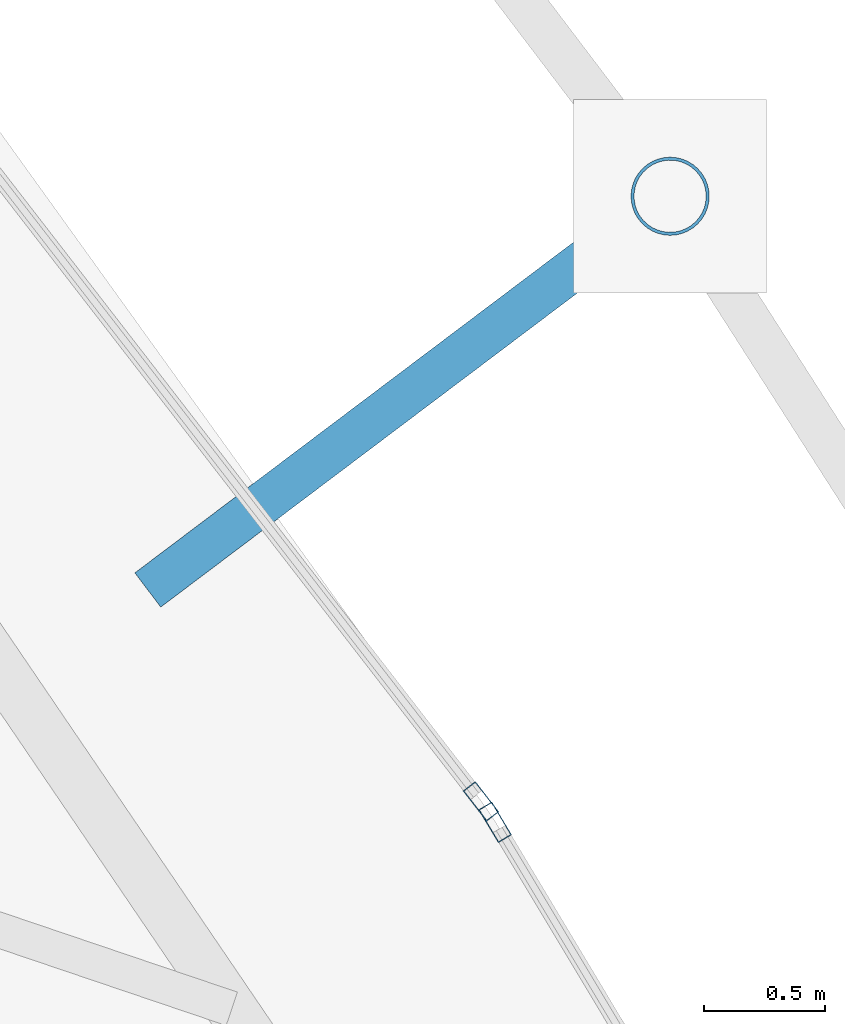
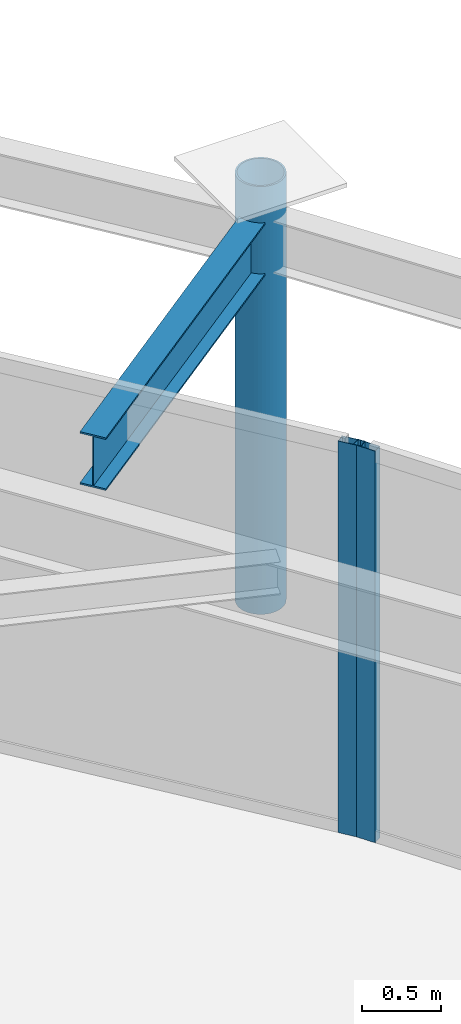
# One storey, part 19 of 30: 3 members, 1 beam, 2 elements without a shape of their own.
"""IFC4 building model written with IfcOpenShell, lengths in metres."""

from ifc_helpers import new_model, si_unit, direction, frame, origin, origin_2d, place, context, subcontext, project, spatial, hollow_rectangle, hollow_circle, i_section, extrude, material, layer, layer_set, material_profile, profile_set, type_object, element, aggregate, save


model = new_model("IFC4")

# Units and contexts
model_context = context("Model", 3, precision=1e-05, world=origin(), true_north=direction((0.0, 1.0)))
body_context = subcontext(model_context, "Body", "Model", "MODEL_VIEW")
ifc_project = project(units=[si_unit("LENGTHUNIT", "METRE"), si_unit("AREAUNIT", "SQUARE_METRE"), si_unit("VOLUMEUNIT", "CUBIC_METRE"), si_unit("PLANEANGLEUNIT", "RADIAN"), si_unit("MASSUNIT", "GRAM", prefix="KILO")], contexts=[model_context])

# Site, building, storey
site_placement = place(None, origin())
site = spatial("IfcSite", under=ifc_project, at=site_placement, CompositionType="ELEMENT")
building_placement = place(site_placement, origin())
building = spatial("IfcBuilding", under=site, at=building_placement, Name="Orvanel Arch Residences", CompositionType="ELEMENT")
storey_placement = place(building_placement, frame((0.0, 0.0, 273.35009765625)))
storey = spatial("IfcBuildingStorey", under=building, at=storey_placement, Name="L78", CompositionType="ELEMENT", Elevation=273.35009765625)

# Curtain wall, member
ifc_material_1 = material(Name="Bronze-anodised aluminium AA6063-T6", Category="aluminium")
ifc_layer = layer(ifc_material_1, 0.175048828125)
ifc_layer_set = layer_set([ifc_layer], Name="Bronze-anodised aluminium AA6063-T6")
curtain_wall_type = type_object("IfcCurtainWallType", Name="CW4-HI-SYS", PredefinedType="NOTDEFINED", material=ifc_layer_set)
curtain_wall_1_placement = place(storey_placement, origin())
curtain_wall_1 = element("IfcCurtainWall", 1, at=curtain_wall_1_placement, inside=storey, type_object=curtain_wall_type, Name="L78 CW4-HI-SYS Unitised Curtain Wall", PredefinedType="NOTDEFINED")
ifc_material_profile_1 = material_profile(ifc_material_1, hollow_rectangle(XDim=0.06494140625, YDim=0.159912109375, WallThickness=0.00390625, at=origin_2d()), Name="ALU160x65x4")
ifc_profile_set_1 = profile_set([ifc_material_profile_1], Name="Bronze-anodised aluminium AA6063-T6")
member_type_1 = type_object("IfcMemberType", Name="MUL-160x65", PredefinedType="MULLION", material=ifc_profile_set_1)
member_1_placement = place(storey_placement, frame((43.982666015625, 32.150146484375, 0.0), z_axis=(0.0, 0.0, 1.0), x_axis=(-0.857549798065, -0.514400956296, 0.0)))
member_1 = element("IfcMember", 2, at=member_1_placement, type_object=member_type_1, Name="CW-S4 mullion 2", PredefinedType="MULLION", context=body_context, shape_type="SweptSolid", body=[
    extrude(hollow_rectangle(XDim=0.06494140625, YDim=0.159912109375, WallThickness=0.00390625, at=origin_2d()), origin(), (0.0, 0.0, 1.0), 3.02001953125),
])
aggregate(curtain_wall_1, [member_1])

curtain_wall_2_placement = place(storey_placement, origin())
curtain_wall_2 = element("IfcCurtainWall", 3, at=curtain_wall_2_placement, inside=storey, type_object=curtain_wall_type, Name="L78 CW4-HI-SYS Unitised Curtain Wall", PredefinedType="NOTDEFINED")
member_2_placement = place(storey_placement, frame((43.924072265625, 32.23681640625, 0.0), z_axis=(0.0, 0.0, 1.0), x_axis=(-0.791013108385, -0.611799201016, 0.0)))
member_2 = element("IfcMember", 4, at=member_2_placement, type_object=member_type_1, Name="CW-S4 mullion 1", PredefinedType="MULLION", context=body_context, shape_type="SweptSolid", body=[
    extrude(hollow_rectangle(XDim=0.06494140625, YDim=0.159912109375, WallThickness=0.00390625, at=origin_2d()), origin(), (0.0, 0.0, 1.0), 3.02001953125),
])
aggregate(curtain_wall_2, [member_2])

# Beam
ifc_material_2 = material(Name="Structural steel AS/NZS 3679.1 Grade 300 (300 MPa)", Category="steel")
ifc_material_profile_2 = material_profile(ifc_material_2, i_section(OverallWidth=0.177978515625, OverallDepth=0.406005859375, WebThickness=0.0078125, FlangeThickness=0.0126953125, at=origin_2d()), Name="410UB59.7")
ifc_profile_set_2 = profile_set([ifc_material_profile_2], Name="Structural steel AS/NZS 3679.1 Grade 300 (300 MPa)")
beam_type = type_object("IfcBeamType", Name="OB-410UB-EXT", PredefinedType="SPANDREL", material=ifc_profile_set_2)
beam_placement = place(storey_placement, frame((42.54296875, 33.113037109375, 2.81689453125), z_axis=(0.798528049519, 0.601957601606, 0.0), x_axis=(-0.601957601606, 0.798528049519, 0.0)))
element("IfcBeam", 5, at=beam_placement, inside=storey, type_object=beam_type, Name="L78 Outer Frame Radial Tie Beam 11", PredefinedType="SPANDREL", context=body_context, shape_type="SweptSolid", body=[
    extrude(i_section(OverallWidth=0.177978515625, OverallDepth=0.406005859375, WebThickness=0.0078125, FlangeThickness=0.0126953125, at=origin_2d()), origin(), (0.0, 0.0, 1.0), 2.711181640625),
])

# Member
ifc_material_3 = material(Name="Structural steel AS/NZS 1163 C350L0 (Grade 350)", Category="steel")
ifc_material_profile_3 = material_profile(ifc_material_3, hollow_circle(Radius=0.162109375, WallThickness=0.0126953125, at=origin_2d()), Name="CHS324x12.7")
ifc_profile_set_3 = profile_set([ifc_material_profile_3], Name="Structural steel AS/NZS 1163 C350L0 (Grade 350)")
member_type_2 = type_object("IfcMemberType", Name="ST-324CHS-EXT", PredefinedType="STRUT", material=ifc_profile_set_3)
member_3_placement = place(storey_placement, frame((44.7080078125, 34.7451171875, 0.0), z_axis=(0.0, 0.0, 1.0), x_axis=(1.0, 0.0, 0.0)))
element("IfcMember", 6, at=member_3_placement, inside=storey, type_object=member_type_2, Name="L78 Outer Perimeter Frame Post 11", PredefinedType="STRUT", context=body_context, shape_type="SweptSolid", body=[
    extrude(hollow_circle(Radius=0.162109375, WallThickness=0.0126953125, at=origin_2d()), origin(), (0.0, 0.0, 1.0), 3.2998046875),
])

save(model, "model.ifc")
